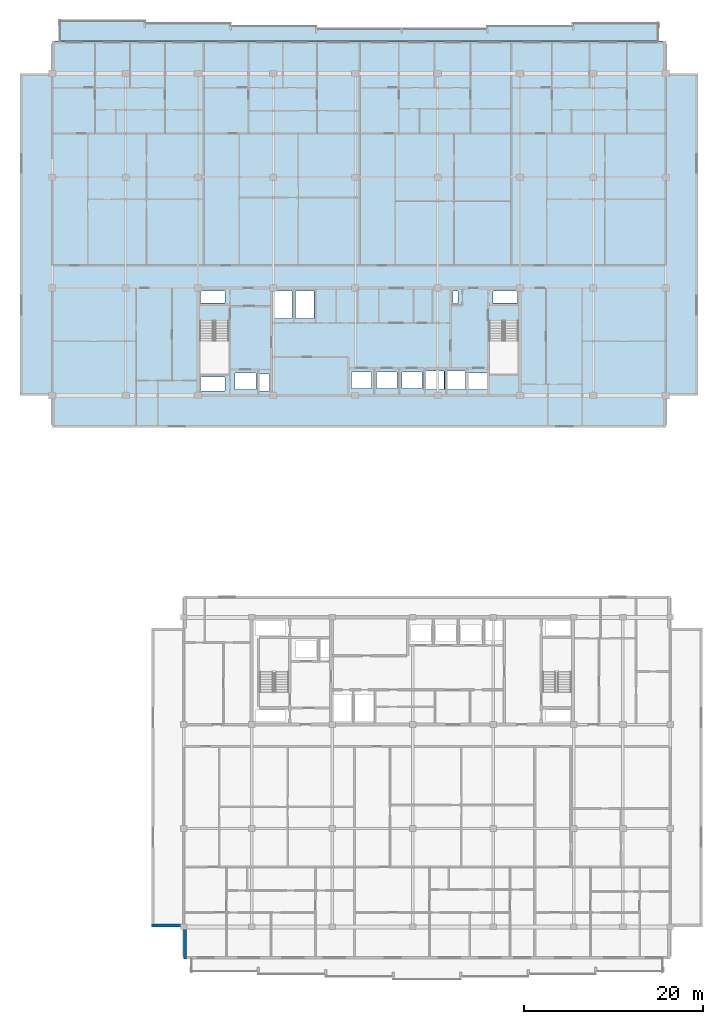
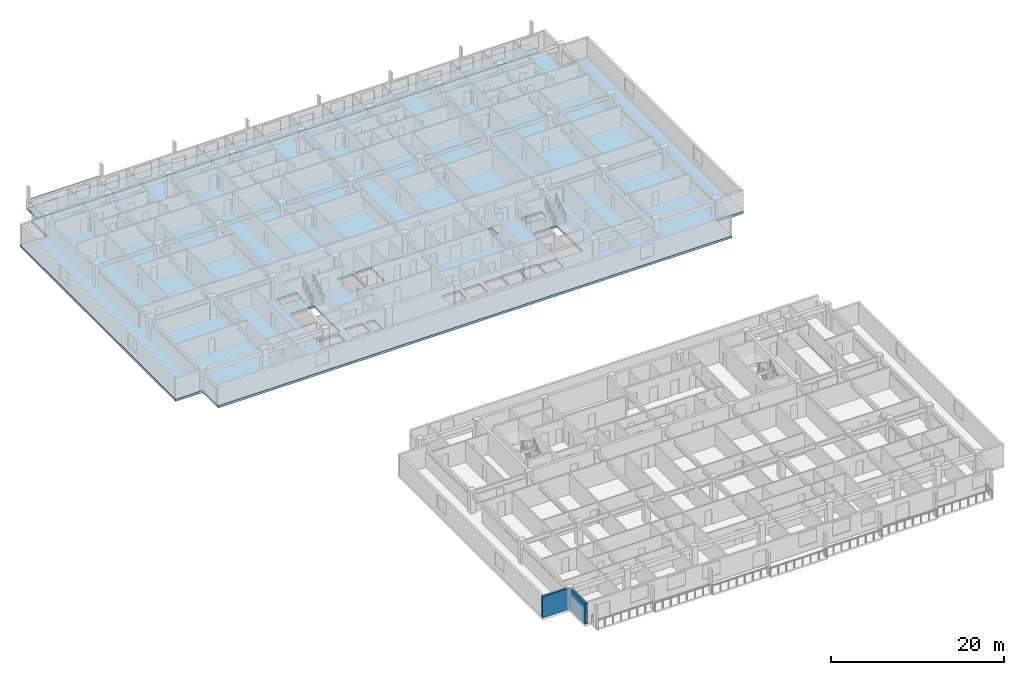
# One storey, part 3 of 23: 2 slabs, 2 walls.
"""IFC4 building model written with IfcOpenShell, lengths in metres."""

from ifc_helpers import new_model, si_unit, direction, frame, frame_2d, origin, place, context, subcontext, project, spatial, polyline, rectangle, outline, extrude, material, layer, layer_set, type_object, element, save


model = new_model("IFC4")

# Units and contexts
model_context = context("Model", 3, precision=1e-05, world=origin(), true_north=direction((0.0, 1.0)))
body_context = subcontext(model_context, "Body", "Model", "MODEL_VIEW")
ifc_project = project(units=[si_unit("LENGTHUNIT", "METRE"), si_unit("AREAUNIT", "SQUARE_METRE"), si_unit("VOLUMEUNIT", "CUBIC_METRE"), si_unit("PLANEANGLEUNIT", "RADIAN"), si_unit("MASSUNIT", "GRAM", prefix="KILO")], contexts=[model_context])

# Site, building, storey
site_placement = place(None, origin())
site = spatial("IfcSite", under=ifc_project, at=site_placement, CompositionType="ELEMENT")
building_placement = place(site_placement, origin())
building = spatial("IfcBuilding", under=site, at=building_placement, Name="Korimba Cascade Residences", CompositionType="ELEMENT")
storey_placement = place(building_placement, frame((0.0, 0.0, 162.10009765625)))
storey = spatial("IfcBuildingStorey", under=building, at=storey_placement, Name="L46", CompositionType="ELEMENT", Elevation=162.10009765625)

# Slabs
ifc_material_1 = material(Name="Precast concrete C40/50", Category="concrete")
ifc_layer_1 = layer(ifc_material_1, 0.239990234375)
ifc_layer_set_1 = layer_set([ifc_layer_1], Name="Precast concrete C40/50")
slab_type_1 = type_object("IfcSlabType", Name="SLB-LOG-240", PredefinedType="FLOOR", material=ifc_layer_set_1)
slab_1_placement = place(storey_placement, frame((0.0, 0.0, -0.239990234375)))
element("IfcSlab", 1, at=slab_1_placement, inside=storey, type_object=slab_type_1, Name="L46 Tower 1 North Loggia Slab", PredefinedType="FLOOR", context=body_context, shape_type="SweptSolid", body=[
    extrude(outline(polyline([(60.60009765625, 94.800048828125), (127.60009765625, 94.800048828125), (127.60009765625, 96.85009765625), (118.028564453125, 96.85009765625), (118.028564453125, 96.550048828125), (108.45703125, 96.550048828125), (108.45703125, 96.25), (89.314208984375, 96.25), (89.314208984375, 96.550048828125), (79.742919921875, 96.550048828125), (79.742919921875, 96.85009765625), (70.17138671875, 96.85009765625), (70.17138671875, 97.14990234375), (60.60009765625, 97.14990234375), (60.60009765625, 94.800048828125)])), origin(), (0.0, 0.0, 1.0), 0.239990234375),
])
ifc_material_2 = material(Name="Concrete C65/80", Category="concrete")
ifc_layer_2 = layer(ifc_material_2, 0.320068359375)
ifc_layer_set_2 = layer_set([ifc_layer_2], Name="Concrete C65/80")
slab_type_2 = type_object("IfcSlabType", Name="SLB-TRF-320", PredefinedType="FLOOR", material=ifc_layer_set_2)
slab_2_placement = place(storey_placement, frame((0.0, 0.0, -0.320068359375)))
element("IfcSlab", 2, at=slab_2_placement, inside=storey, type_object=slab_type_2, Name="L46 Tower 1 Floor Slab", PredefinedType="FLOOR", context=body_context, shape_type="SweptSolid", body=[
    extrude(outline(polyline([(59.800048828125, 51.60009765625), (128.39990234375, 51.60009765625), (128.39990234375, 55.199951171875), (132.0, 55.199951171875), (132.0, 91.199951171875), (128.39990234375, 91.199951171875), (128.39990234375, 94.800048828125), (59.800048828125, 94.800048828125), (59.800048828125, 91.199951171875), (56.199951171875, 91.199951171875), (56.199951171875, 55.199951171875), (59.800048828125, 55.199951171875), (59.800048828125, 51.60009765625)]), holes=[polyline([(76.300048828125, 63.514892578125), (76.300048828125, 57.60009765625), (79.5400390625, 57.60009765625), (79.5400390625, 63.514892578125), (76.300048828125, 63.514892578125)]), polyline([(108.659912109375, 63.514892578125), (108.659912109375, 57.60009765625), (111.89990234375, 57.60009765625), (111.89990234375, 63.514892578125), (108.659912109375, 63.514892578125)]), polyline([(80.22998046875, 55.8798828125), (82.570068359375, 55.8798828125), (82.570068359375, 57.719970703125), (80.22998046875, 57.719970703125), (80.22998046875, 55.8798828125)]), polyline([(106.080078125, 55.8798828125), (108.419921875, 55.8798828125), (108.419921875, 57.719970703125), (106.080078125, 57.719970703125), (106.080078125, 55.8798828125)]), polyline([(93.280029296875, 55.97998046875), (95.52001953125, 55.97998046875), (95.52001953125, 57.820068359375), (93.280029296875, 57.820068359375), (93.280029296875, 55.97998046875)]), polyline([(96.080078125, 55.97998046875), (98.320068359375, 55.97998046875), (98.320068359375, 57.820068359375), (96.080078125, 57.820068359375), (96.080078125, 55.97998046875)]), polyline([(98.8798828125, 55.97998046875), (101.1201171875, 55.97998046875), (101.1201171875, 57.820068359375), (98.8798828125, 57.820068359375), (98.8798828125, 55.97998046875)]), polyline([(101.304931640625, 55.8798828125), (103.594970703125, 55.8798828125), (103.594970703125, 57.919921875), (101.304931640625, 57.919921875), (101.304931640625, 55.8798828125)]), polyline([(103.705078125, 55.8798828125), (105.9951171875, 55.8798828125), (105.9951171875, 57.919921875), (103.705078125, 57.919921875), (103.705078125, 55.8798828125)]), polyline([(82.97998046875, 55.679931640625), (84.080078125, 55.679931640625), (84.080078125, 57.6201171875), (82.97998046875, 57.6201171875), (82.97998046875, 55.679931640625)]), polyline([(76.39990234375, 65.56005859375), (79.10009765625, 65.56005859375), (79.10009765625, 66.8798828125), (76.39990234375, 66.8798828125), (76.39990234375, 65.56005859375)]), polyline([(76.39990234375, 55.679931640625), (79.10009765625, 55.679931640625), (79.10009765625, 57.239990234375), (76.39990234375, 57.239990234375), (76.39990234375, 55.679931640625)]), polyline([(84.530029296875, 63.820068359375), (86.6201171875, 63.820068359375), (86.6201171875, 66.8798828125), (84.530029296875, 66.8798828125), (84.530029296875, 63.820068359375)]), polyline([(86.97998046875, 63.820068359375), (89.070068359375, 63.820068359375), (89.070068359375, 66.8798828125), (86.97998046875, 66.8798828125), (86.97998046875, 63.820068359375)]), polyline([(104.6201171875, 65.4599609375), (105.179931640625, 65.4599609375), (105.179931640625, 66.8798828125), (104.6201171875, 66.8798828125), (104.6201171875, 65.4599609375)]), polyline([(109.080078125, 65.56005859375), (111.800048828125, 65.56005859375), (111.800048828125, 66.8798828125), (109.080078125, 66.8798828125), (109.080078125, 65.56005859375)])]), origin(), (0.0, 0.0, 1.0), 0.320068359375),
])

# Walls
ifc_layer_3 = layer(ifc_material_1, 0.300048828125)
ifc_layer_set_3 = layer_set([ifc_layer_3], Name="Precast concrete C40/50")
wall_type = type_object("IfcWallType", Name="EW-STONE-300", PredefinedType="STANDARD", material=ifc_layer_set_3)
for number, where, z_axis, x_axis, name in (
    (3, (70.89990234375, -4.050048828125, 0.0), (0.0, 0.0, 1.0), (1.0, 0.0, 0.0), "L46 T2 Perimeter Stone Wall E10"),
    (4, (74.64990234375, -4.199951171875, 0.0), (0.0, 0.0, 1.0), (0.0, -1.0, 0.0), "L46 T2 Perimeter Stone Wall E11"),
):
    element("IfcWall", number, at=place(storey_placement, frame(where, z_axis=z_axis, x_axis=x_axis)), inside=storey, type_object=wall_type, Name=name, PredefinedType="STANDARD", context=body_context, shape_type="SweptSolid", body=[
        extrude(rectangle(XDim=3.60009765625, YDim=0.300048828125, at=frame_2d((1.800048828125, 0.0))), origin(), (0.0, 0.0, 1.0), 2.969970703125),
    ])

save(model, "model.ifc")
